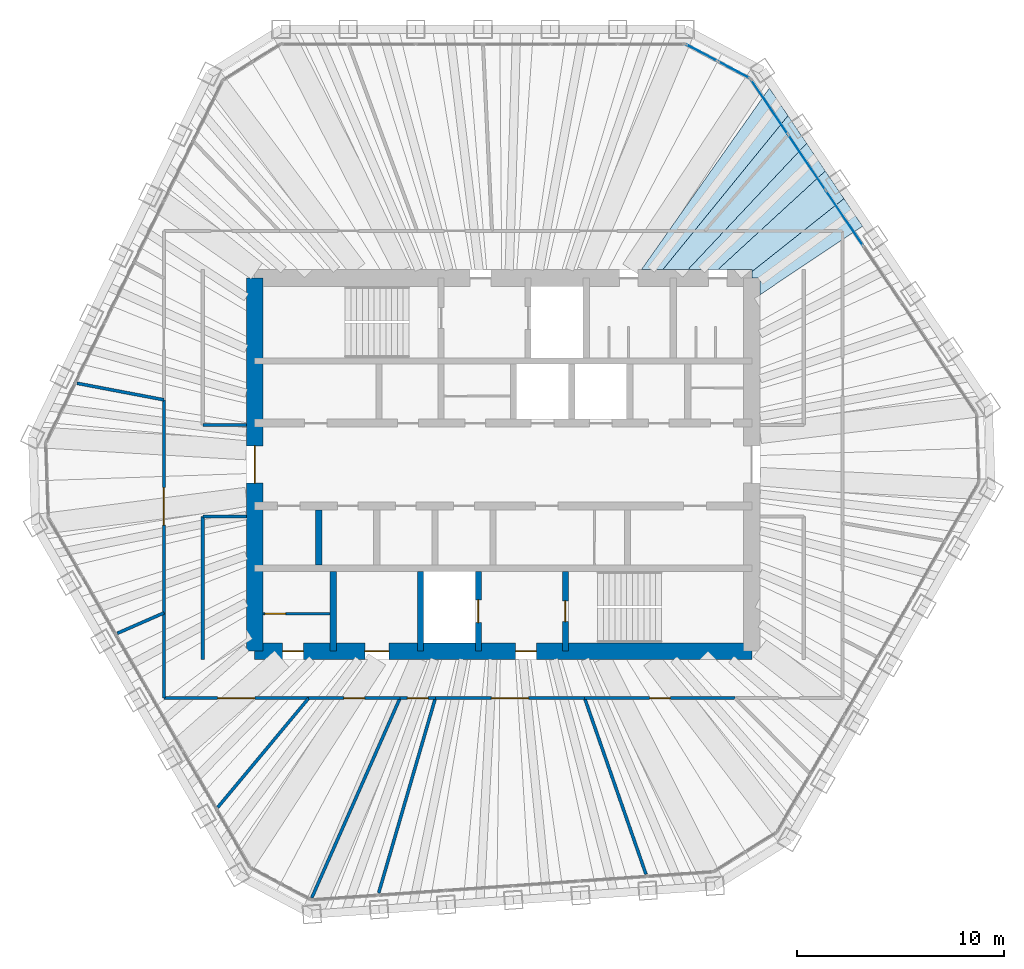
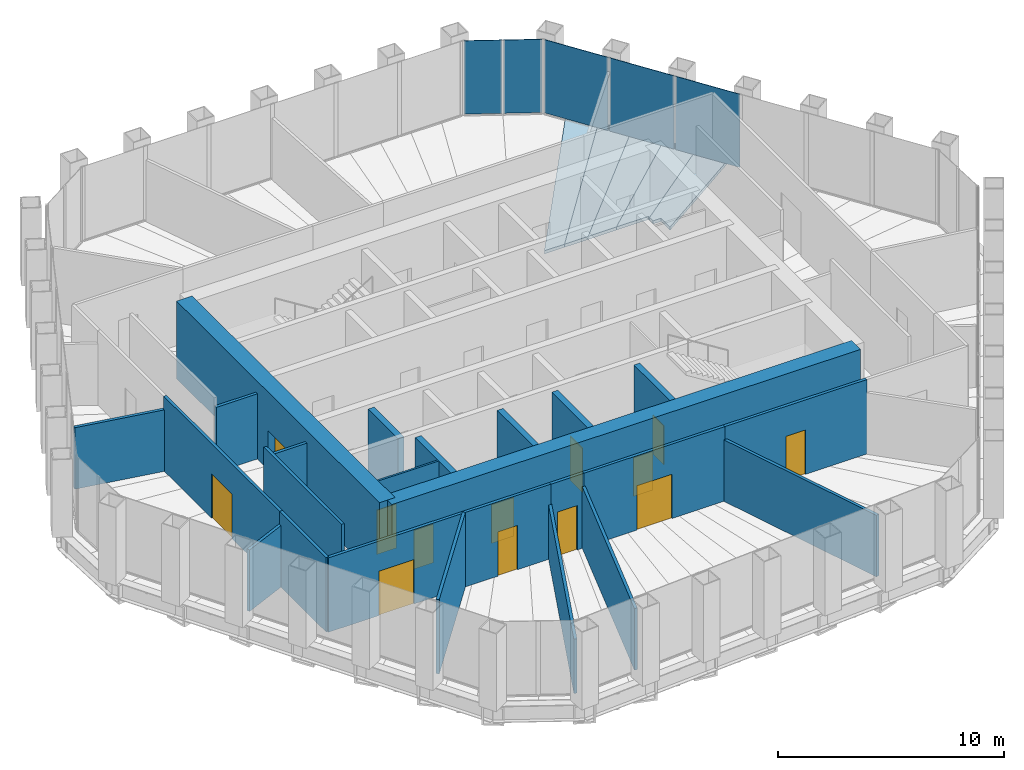
# One storey, part 11 of 14: 24 walls, 13 doors, 5 plates, 5 slabs, 13 openings, 2 elements without a shape of their own.
"""IFC4 building model written with IfcOpenShell, lengths in metres."""

from ifc_helpers import new_model, si_unit, direction, frame, frame_2d, origin, origin_2d, place, context, subcontext, project, spatial, polyline, rectangle, outline, extrude, material, layer, layer_set, type_object, element, fill, aggregate, save


model = new_model("IFC4")

# Units and contexts
model_context = context("Model", 3, precision=1e-05, world=origin(), true_north=direction((0.0, 1.0)))
body_context = subcontext(model_context, "Body", "Model", "MODEL_VIEW")
ifc_project = project(units=[si_unit("LENGTHUNIT", "METRE"), si_unit("AREAUNIT", "SQUARE_METRE"), si_unit("VOLUMEUNIT", "CUBIC_METRE"), si_unit("PLANEANGLEUNIT", "RADIAN"), si_unit("MASSUNIT", "GRAM", prefix="KILO")], contexts=[model_context])

# Site, building, storey
site_placement = place(None, origin())
site = spatial("IfcSite", under=ifc_project, at=site_placement, CompositionType="ELEMENT")
building_placement = place(site_placement, origin())
building = spatial("IfcBuilding", under=site, at=building_placement, Name="Qingtian Harvest Tower", CompositionType="ELEMENT")
storey_placement = place(building_placement, frame((0.0, 0.0, 304.0)))
storey = spatial("IfcBuildingStorey", under=building, at=storey_placement, Name="L67", CompositionType="ELEMENT", Elevation=304.0)

# Slabs
ifc_material_1 = material(Name="Concrete fc' 35 MPa", Category="concrete")
ifc_layer_1 = layer(ifc_material_1, 0.169921875)
ifc_layer_set_1 = layer_set([ifc_layer_1], Name="Composite floor slab FS17 170")
slab_type = type_object("IfcSlabType", Name="Composite floor slab FS17 170", PredefinedType="FLOOR", material=ifc_layer_set_1)
slab_1_placement = place(storey_placement, frame((0.0, 0.0, -0.169921875)))
element("IfcSlab", 1, at=slab_1_placement, inside=storey, type_object=slab_type, Name="Floor slab L67 panel D47", PredefinedType="FLOOR", context=body_context, shape_type="SweptSolid", body=[
    extrude(outline(polyline([(12.39990234375, 9.0), (12.0, 9.0), (12.0, 9.30908203125), (16.44140625, 12.830078125), (17.340576171875, 11.4970703125), (12.39990234375, 8.199462890625), (12.39990234375, 9.0)])), origin(), (0.0, 0.0, 1.0), 0.169921875),
])
slab_2_placement = place(storey_placement, frame((0.0, 0.0, -0.169921875)))
element("IfcSlab", 2, at=slab_2_placement, inside=storey, type_object=slab_type, Name="Floor slab L67 panel D48", PredefinedType="FLOOR", context=body_context, shape_type="SweptSolid", body=[
    extrude(outline(polyline([(12.0, 9.39990234375), (10.349853515625, 9.39990234375), (15.541259765625, 14.164794921875), (16.44140625, 12.830078125), (12.0, 9.30908203125), (12.0, 9.39990234375)])), origin(), (0.0, 0.0, 1.0), 0.169921875),
])
slab_3_placement = place(storey_placement, frame((0.0, 0.0, -0.169921875)))
element("IfcSlab", 3, at=slab_3_placement, inside=storey, type_object=slab_type, Name="Floor slab L67 panel D49", PredefinedType="FLOOR", context=body_context, shape_type="SweptSolid", body=[
    extrude(outline(polyline([(8.907958984375, 9.39990234375), (14.641357421875, 15.498779296875), (15.541259765625, 14.164794921875), (10.349853515625, 9.39990234375), (8.907958984375, 9.39990234375)])), origin(), (0.0, 0.0, 1.0), 0.169921875),
])
slab_4_placement = place(storey_placement, frame((0.0, 0.0, -0.169921875)))
element("IfcSlab", 4, at=slab_4_placement, inside=storey, type_object=slab_type, Name="Floor slab L67 panel D50", PredefinedType="FLOOR", context=body_context, shape_type="SweptSolid", body=[
    extrude(outline(polyline([(7.695556640625, 9.39990234375), (13.74169921875, 16.832763671875), (14.641357421875, 15.498779296875), (8.907958984375, 9.39990234375), (7.695556640625, 9.39990234375)])), origin(), (0.0, 0.0, 1.0), 0.169921875),
])
slab_5_placement = place(storey_placement, frame((0.0, 0.0, -0.169921875)))
element("IfcSlab", 5, at=slab_5_placement, inside=storey, type_object=slab_type, Name="Floor slab L67 panel D51", PredefinedType="FLOOR", context=body_context, shape_type="SweptSolid", body=[
    extrude(outline(polyline([(6.662109375, 9.39990234375), (12.841796875, 18.16650390625), (13.74169921875, 16.832763671875), (7.695556640625, 9.39990234375), (6.662109375, 9.39990234375)])), origin(), (0.0, 0.0, 1.0), 0.169921875),
])

# Curtain wall, plates
ifc_material_2 = material(Name="Bronze-anodised aluminium curtain wall", Category="aluminium")
curtain_wall_type = type_object("IfcCurtainWallType", Name="Curtain wall CW5 upper office", PredefinedType="USERDEFINED", material=ifc_material_2)
curtain_wall_1_placement = place(storey_placement, origin())
curtain_wall_1 = element("IfcCurtainWall", 6, at=curtain_wall_1_placement, inside=storey, type_object=curtain_wall_type, Name="Curtain wall CW5 L67 NC", ObjectType="RECESSED CURTAIN WALL", PredefinedType="USERDEFINED")
ifc_material_3 = material(Name="Bronze-tinted laminated insulating glass", Category="glass")
ifc_layer_2 = layer(ifc_material_3, 0.030029296875)
ifc_layer_set_2 = layer_set([ifc_layer_2], Name="Glazed panel CWP tinted IGU")
plate_type = type_object("IfcPlateType", Name="Glazed panel CWP tinted IGU", PredefinedType="CURTAIN_PANEL", material=ifc_layer_set_2)
plate_1_placement = place(storey_placement, frame((9.57080078125, 19.8720703125, 0.06494140625), z_axis=(0.0, 0.0, 1.0), x_axis=(0.882947592859, -0.469471562786, 0.0)))
plate_1 = element("IfcPlate", 7, at=plate_1_placement, type_object=plate_type, Name="CW5 panel 1.1", PredefinedType="CURTAIN_PANEL", context=body_context, shape_type="SweptSolid", body=[
    extrude(rectangle(XDim=1.69287109375, YDim=0.030029296875, at=origin_2d()), origin(), (0.0, 0.0, 1.0), 3.965087890625),
])
plate_2_placement = place(storey_placement, frame((11.122802734375, 19.046875, 0.06494140625), z_axis=(0.0, 0.0, 1.0), x_axis=(0.882947592859, -0.469471562786, 0.0)))
plate_2 = element("IfcPlate", 8, at=plate_2_placement, type_object=plate_type, Name="CW5 panel 2.1", PredefinedType="CURTAIN_PANEL", context=body_context, shape_type="SweptSolid", body=[
    extrude(rectangle(XDim=1.69287109375, YDim=0.030029296875, at=origin_2d()), origin(), (0.0, 0.0, 1.0), 3.965087890625),
])
aggregate(curtain_wall_1, [plate_1, plate_2])

curtain_wall_2_placement = place(storey_placement, origin())
curtain_wall_2 = element("IfcCurtainWall", 9, at=curtain_wall_2_placement, inside=storey, type_object=curtain_wall_type, Name="Curtain wall CW5 L67 NE0-5", ObjectType="RECESSED CURTAIN WALL", PredefinedType="USERDEFINED")
plate_3_placement = place(storey_placement, frame((12.844970703125, 17.259033203125, 0.06494140625), z_axis=(0.0, 0.0, 1.0), x_axis=(0.559192903471, -0.829037572555, 0.0)))
plate_3 = element("IfcPlate", 10, at=plate_3_placement, type_object=plate_type, Name="CW5 panel 1.1", PredefinedType="CURTAIN_PANEL", context=body_context, shape_type="SweptSolid", body=[
    extrude(rectangle(XDim=3.150634765625, YDim=0.030029296875, at=origin_2d()), origin(), (0.0, 0.0, 1.0), 3.965087890625),
])
plate_4_placement = place(storey_placement, frame((14.652099609375, 14.579833984375, 0.06494140625), z_axis=(0.0, 0.0, 1.0), x_axis=(0.559192903471, -0.829037572555, 0.0)))
plate_4 = element("IfcPlate", 11, at=plate_4_placement, type_object=plate_type, Name="CW5 panel 2.1", PredefinedType="CURTAIN_PANEL", context=body_context, shape_type="SweptSolid", body=[
    extrude(rectangle(XDim=3.18310546875, YDim=0.030029296875, at=origin_2d()), origin(), (0.0, 0.0, 1.0), 3.965087890625),
])
plate_5_placement = place(storey_placement, frame((16.46826171875, 11.886962890625, 0.06494140625), z_axis=(0.0, 0.0, 1.0), x_axis=(0.559192903471, -0.829037572555, 0.0)))
plate_5 = element("IfcPlate", 12, at=plate_5_placement, type_object=plate_type, Name="CW5 panel 3.1", PredefinedType="CURTAIN_PANEL", context=body_context, shape_type="SweptSolid", body=[
    extrude(rectangle(XDim=3.18310546875, YDim=0.030029296875, at=origin_2d()), origin(), (0.0, 0.0, 1.0), 3.965087890625),
])
aggregate(curtain_wall_2, [plate_3, plate_4, plate_5])

# Walls
ifc_material_4 = material(Name="Precast concrete shaft panel", Category="concrete")
ifc_layer_3 = layer(ifc_material_4, 0.300048828125)
ifc_layer_set_3 = layer_set([ifc_layer_3], Name="Core shaft partition SW1 300")
wall_type_1 = type_object("IfcWallType", Name="Core shaft partition SW1 300", PredefinedType="PARTITIONING", material=ifc_layer_set_3)
wall_1_placement = place(storey_placement, frame((-8.89990234375, -4.85009765625, 0.0), z_axis=(0.0, 0.0, 1.0), x_axis=(0.0, 1.0, 0.0)))
element("IfcWall", 13, at=wall_1_placement, inside=storey, type_object=wall_type_1, Name="Core shaft partition XB1 L67", PredefinedType="PARTITIONING", context=body_context, shape_type="SweptSolid", body=[
    extrude(rectangle(XDim=2.650146484375, YDim=0.300048828125, at=frame_2d((1.3251953125, 0.0))), origin(), (0.0, 0.0, 1.0), 3.97998046875),
])
for number, where, z_axis, x_axis, name in (
    (14, (-8.199951171875, -9.0, 0.0), (0.0, 0.0, 1.0), (0.0, 1.0, 0.0), "Core shaft partition XS1 L67"),
    (15, (-4.0, -9.0, 0.0), (0.0, 0.0, 1.0), (0.0, 1.0, 0.0), "Core shaft partition XS2 L67"),
):
    element("IfcWall", number, at=place(storey_placement, frame(where, z_axis=z_axis, x_axis=x_axis)), inside=storey, type_object=wall_type_1, Name=name, PredefinedType="PARTITIONING", context=body_context, shape_type="SweptSolid", body=[
        extrude(rectangle(XDim=3.85009765625, YDim=0.300048828125, at=frame_2d((1.925048828125, 0.0))), origin(), (0.0, 0.0, 1.0), 3.97998046875),
    ])

# Wall, opening, door
wall_2_placement = place(storey_placement, frame((-1.199951171875, -9.0, 0.0), z_axis=(0.0, 0.0, 1.0), x_axis=(0.0, 1.0, 0.0)))
wall_2 = element("IfcWall", 16, at=wall_2_placement, inside=storey, type_object=wall_type_1, Name="Core shaft partition XS3 L67", PredefinedType="PARTITIONING", context=body_context, shape_type="SweptSolid", body=[
    extrude(rectangle(XDim=3.85009765625, YDim=0.300048828125, at=frame_2d((1.925048828125, 0.0))), origin(), (0.0, 0.0, 1.0), 3.97998046875),
])
opening_1_placement = place(wall_2_placement, frame((1.375, 0.0, 0.0)))
opening_1 = element("IfcOpeningElement", 17, at=opening_1_placement, cuts=wall_2, Name="Opening LD1", PredefinedType="OPENING", context=body_context, shape_type="SweptSolid", body=[
    extrude(rectangle(XDim=1.10009765625, YDim=2.39990234375, at=frame_2d((0.550048828125, 1.199951171875))), frame((0.0, 0.159912109375, 0.0), z_axis=(0.0, -1.0, 0.0), x_axis=(1.0, 0.0, 0.0)), (0.0, 0.0, 1.0), 0.320068359375),
])
ifc_material_5 = material(Name="Stainless steel lift landing door", Category="steel")
door_type_1 = type_object("IfcDoorType", Name="Lift landing door LD1 1 HR", OperationType="DOUBLE_DOOR_SLIDING", PredefinedType="DOOR", material=ifc_material_5)
door_1_placement = place(opening_1_placement, origin())
door_1 = element("IfcDoor", 18, at=door_1_placement, inside=storey, type_object=door_type_1, Name="FL2 landing door L67", OperationType="DOUBLE_DOOR_SLIDING", OverallHeight=2.39990234375, OverallWidth=1.10009765625, PredefinedType="DOOR", context=body_context, shape_type="SweptSolid", body=[
    extrude(rectangle(XDim=1.10009765625, YDim=2.39990234375, at=frame_2d((0.550048828125, 1.199951171875))), frame((0.0, 0.02490234375, 0.0), z_axis=(0.0, -1.0, 0.0), x_axis=(1.0, 0.0, 0.0)), (0.0, 0.0, 1.0), 0.050048828125),
])
fill(opening_1, door_1)

wall_3_placement = place(storey_placement, frame((3.0, -9.0, 0.0), z_axis=(0.0, 0.0, 1.0), x_axis=(0.0, 1.0, 0.0)))
wall_3 = element("IfcWall", 19, at=wall_3_placement, inside=storey, type_object=wall_type_1, Name="Core shaft partition XS4 L67", PredefinedType="PARTITIONING", context=body_context, shape_type="SweptSolid", body=[
    extrude(rectangle(XDim=3.85009765625, YDim=0.300048828125, at=frame_2d((1.925048828125, 0.0))), origin(), (0.0, 0.0, 1.0), 3.97998046875),
])
opening_2_placement = place(wall_3_placement, frame((1.425048828125, 0.0, 0.0)))
opening_2 = element("IfcOpeningElement", 20, at=opening_2_placement, cuts=wall_3, Name="Opening FD1", PredefinedType="OPENING", context=body_context, shape_type="SweptSolid", body=[
    extrude(rectangle(XDim=1.0, YDim=2.10009765625, at=frame_2d((0.5, 1.050048828125))), frame((0.0, 0.159912109375, 0.0), z_axis=(0.0, -1.0, 0.0), x_axis=(1.0, 0.0, 0.0)), (0.0, 0.0, 1.0), 0.320068359375),
])
ifc_material_6 = material(Name="Steel-faced door leaf", Category="steel")
door_type_2 = type_object("IfcDoorType", Name="Fire door FD1 single 1 HR", OperationType="SINGLE_SWING_LEFT", PredefinedType="DOOR", material=ifc_material_6)
door_2_placement = place(opening_2_placement, origin())
door_2 = element("IfcDoor", 21, at=door_2_placement, inside=storey, type_object=door_type_2, Name="S2 door L67", OperationType="SINGLE_SWING_LEFT", OverallHeight=2.10009765625, OverallWidth=1.0, PredefinedType="DOOR", context=body_context, shape_type="SweptSolid", body=[
    extrude(rectangle(XDim=1.0, YDim=2.10009765625, at=frame_2d((0.5, 1.050048828125))), frame((0.0, 0.02490234375, 0.0), z_axis=(0.0, -1.0, 0.0), x_axis=(1.0, 0.0, 0.0)), (0.0, 0.0, 1.0), 0.050048828125),
])
fill(opening_2, door_2)

# Wall, openings, doors
ifc_material_7 = material(Name="Concrete fc' 70 MPa", Category="concrete")
ifc_layer_4 = layer(ifc_material_7, 0.800048828125)
ifc_layer_set_4 = layer_set([ifc_layer_4], Name="Core wall RC4 800")
wall_type_2 = type_object("IfcWallType", Name="Core wall RC4 800", PredefinedType="SHEAR", material=ifc_layer_set_4)
wall_4_placement = place(storey_placement, frame((-12.0, -9.0, 0.0), z_axis=(0.0, 0.0, 1.0), x_axis=(1.0, 0.0, 0.0)))
wall_4 = element("IfcWall", 22, at=wall_4_placement, inside=storey, type_object=wall_type_2, Name="Core wall CS L67", PredefinedType="SHEAR", context=body_context, shape_type="SweptSolid", body=[
    extrude(rectangle(XDim=24.0, YDim=0.800048828125, at=frame_2d((12.0, 0.0))), origin(), (0.0, 0.0, 1.0), 4.199951171875),
])
opening_3_placement = place(wall_4_placement, frame((1.35009765625, 0.0, 0.0)))
opening_3 = element("IfcOpeningElement", 23, at=opening_3_placement, cuts=wall_4, Name="Opening FD1", PredefinedType="OPENING", context=body_context, shape_type="SweptSolid", body=[
    extrude(rectangle(XDim=1.0, YDim=2.10009765625, at=frame_2d((0.5, 1.050048828125))), frame((0.0, 0.409912109375, 0.0), z_axis=(0.0, -1.0, 0.0), x_axis=(1.0, 0.0, 0.0)), (0.0, 0.0, 1.0), 0.820068359375),
])
opening_4_placement = place(wall_4_placement, frame((5.324951171875, 0.0, 0.0)))
opening_4 = element("IfcOpeningElement", 24, at=opening_4_placement, cuts=wall_4, Name="Opening AD1", PredefinedType="OPENING", context=body_context, shape_type="SweptSolid", body=[
    extrude(rectangle(XDim=1.14990234375, YDim=2.10009765625, at=frame_2d((0.574951171875, 1.050048828125))), frame((0.0, 0.409912109375, 0.0), z_axis=(0.0, -1.0, 0.0), x_axis=(1.0, 0.0, 0.0)), (0.0, 0.0, 1.0), 0.820068359375),
])
opening_5_placement = place(wall_4_placement, frame((12.60009765625, 0.0, 0.0)))
opening_5 = element("IfcOpeningElement", 25, at=opening_5_placement, cuts=wall_4, Name="Opening FD1", PredefinedType="OPENING", context=body_context, shape_type="SweptSolid", body=[
    extrude(rectangle(XDim=1.0, YDim=2.10009765625, at=frame_2d((0.5, 1.050048828125))), frame((0.0, 0.409912109375, 0.0), z_axis=(0.0, -1.0, 0.0), x_axis=(1.0, 0.0, 0.0)), (0.0, 0.0, 1.0), 0.820068359375),
])
ifc_material_8 = material(Name="Laminated timber door leaf", Category="wood")
door_type_3 = type_object("IfcDoorType", Name="Accessible WC door AD1 single", OperationType="SINGLE_SWING_LEFT", PredefinedType="DOOR", material=ifc_material_8)
door_3_placement = place(opening_4_placement, origin())
door_3 = element("IfcDoor", 26, at=door_3_placement, inside=storey, type_object=door_type_3, Name="AWC door L67", OperationType="SINGLE_SWING_RIGHT", OverallHeight=2.10009765625, OverallWidth=1.14990234375, PredefinedType="DOOR", context=body_context, shape_type="SweptSolid", body=[
    extrude(rectangle(XDim=1.14990234375, YDim=2.10009765625, at=frame_2d((0.574951171875, 1.050048828125))), frame((0.0, 0.02490234375, 0.0), z_axis=(0.0, -1.0, 0.0), x_axis=(1.0, 0.0, 0.0)), (0.0, 0.0, 1.0), 0.050048828125),
])
fill(opening_4, door_3)
door_4_placement = place(opening_3_placement, origin())
door_4 = element("IfcDoor", 27, at=door_4_placement, inside=storey, type_object=door_type_2, Name="CLN door L67", OperationType="SINGLE_SWING_LEFT", OverallHeight=2.10009765625, OverallWidth=1.0, PredefinedType="DOOR", context=body_context, shape_type="SweptSolid", body=[
    extrude(rectangle(XDim=1.0, YDim=2.10009765625, at=frame_2d((0.5, 1.050048828125))), frame((0.0, 0.02490234375, 0.0), z_axis=(0.0, -1.0, 0.0), x_axis=(1.0, 0.0, 0.0)), (0.0, 0.0, 1.0), 0.050048828125),
])
fill(opening_3, door_4)
door_5_placement = place(opening_5_placement, origin())
door_5 = element("IfcDoor", 28, at=door_5_placement, inside=storey, type_object=door_type_2, Name="V2 door L67", OperationType="SINGLE_SWING_RIGHT", OverallHeight=2.10009765625, OverallWidth=1.0, PredefinedType="DOOR", context=body_context, shape_type="SweptSolid", body=[
    extrude(rectangle(XDim=1.0, YDim=2.10009765625, at=frame_2d((0.5, 1.050048828125))), frame((0.0, 0.02490234375, 0.0), z_axis=(0.0, -1.0, 0.0), x_axis=(1.0, 0.0, 0.0)), (0.0, 0.0, 1.0), 0.050048828125),
])
fill(opening_5, door_5)

# Wall, opening, door
wall_5_placement = place(storey_placement, frame((-12.0, -9.0, 0.0), z_axis=(0.0, 0.0, 1.0), x_axis=(0.0, 1.0, 0.0)))
wall_5 = element("IfcWall", 29, at=wall_5_placement, inside=storey, type_object=wall_type_2, Name="Core wall CW L67", PredefinedType="SHEAR", context=body_context, shape_type="SweptSolid", body=[
    extrude(rectangle(XDim=18.0, YDim=0.800048828125, at=frame_2d((9.0, 0.0))), origin(), (0.0, 0.0, 1.0), 4.199951171875),
])
opening_6_placement = place(wall_5_placement, frame((8.10009765625, 0.0, 0.0)))
opening_6 = element("IfcOpeningElement", 30, at=opening_6_placement, cuts=wall_5, Name="Opening FD2", PredefinedType="OPENING", context=body_context, shape_type="SweptSolid", body=[
    extrude(rectangle(XDim=1.800048828125, YDim=2.10009765625, at=frame_2d((0.89990234375, 1.050048828125))), frame((0.0, 0.409912109375, 0.0), z_axis=(0.0, -1.0, 0.0), x_axis=(1.0, 0.0, 0.0)), (0.0, 0.0, 1.0), 0.820068359375),
])
ifc_material_9 = material(Name="Steel-faced door leaf", Category="steel")
door_type_4 = type_object("IfcDoorType", Name="Fire door FD2 double 1 HR", OperationType="DOUBLE_DOOR_DOUBLE_SWING", PredefinedType="DOOR", material=ifc_material_9)
door_6_placement = place(opening_6_placement, origin())
door_6 = element("IfcDoor", 31, at=door_6_placement, inside=storey, type_object=door_type_4, Name="LOBBY-W door L67", OperationType="DOUBLE_DOOR_DOUBLE_SWING", OverallHeight=2.10009765625, OverallWidth=1.800048828125, PredefinedType="DOOR", context=body_context, shape_type="SweptSolid", body=[
    extrude(rectangle(XDim=1.800048828125, YDim=2.10009765625, at=frame_2d((0.89990234375, 1.050048828125))), frame((0.0, 0.02490234375, 0.0), z_axis=(0.0, -1.0, 0.0), x_axis=(1.0, 0.0, 0.0)), (0.0, 0.0, 1.0), 0.050048828125),
])
fill(opening_6, door_6)

ifc_material_10 = material(Name="Gypsum board on steel studs", Category="steel")
ifc_layer_5 = layer(ifc_material_10, 0.14990234375)
ifc_layer_set_5 = layer_set([ifc_layer_5], Name="Partition PT1 150")
wall_type_3 = type_object("IfcWallType", Name="Partition PT1 150", PredefinedType="PARTITIONING", material=ifc_layer_set_5)
wall_6_placement = place(storey_placement, frame((11.194091796875, -11.27490234375, 0.0), z_axis=(0.0, 0.0, 1.0), x_axis=(-1.0, 0.0, 0.0)))
wall_6 = element("IfcWall", 32, at=wall_6_placement, inside=storey, type_object=wall_type_3, Name="Focus room wall L67", PredefinedType="PARTITIONING", context=body_context, shape_type="SweptSolid", body=[
    extrude(rectangle(XDim=7.266357421875, YDim=0.14990234375, at=frame_2d((3.63330078125, 0.0))), origin(), (0.0, 0.0, 1.0), 4.030029296875),
])
opening_7_placement = place(wall_6_placement, frame((3.133056640625, 0.0, 0.0)))
opening_7 = element("IfcOpeningElement", 33, at=opening_7_placement, cuts=wall_6, Name="Opening D2", PredefinedType="OPENING", context=body_context, shape_type="SweptSolid", body=[
    extrude(rectangle(XDim=1.0, YDim=2.39990234375, at=frame_2d((0.5, 1.199951171875))), frame((0.0, 0.0849609375, 0.0), z_axis=(0.0, -1.0, 0.0), x_axis=(1.0, 0.0, 0.0)), (0.0, 0.0, 1.0), 0.169921875),
])
ifc_material_11 = material(Name="Laminated timber door leaf", Category="wood")
door_type_5 = type_object("IfcDoorType", Name="Room door D2 single", OperationType="SINGLE_SWING_LEFT", PredefinedType="DOOR", material=ifc_material_11)
door_7_placement = place(opening_7_placement, origin())
door_7 = element("IfcDoor", 34, at=door_7_placement, inside=storey, type_object=door_type_5, Name="Focus room door L67", OperationType="SINGLE_SWING_LEFT", OverallHeight=2.39990234375, OverallWidth=1.0, PredefinedType="DOOR", context=body_context, shape_type="SweptSolid", body=[
    extrude(rectangle(XDim=1.0, YDim=2.39990234375, at=frame_2d((0.5, 1.199951171875))), frame((0.0, 0.02490234375, 0.0), z_axis=(0.0, -1.0, 0.0), x_axis=(1.0, 0.0, 0.0)), (0.0, 0.0, 1.0), 0.050048828125),
])
fill(opening_7, door_7)

# Wall
wall_7_placement = place(storey_placement, frame((6.8876953125, -19.771240234375, 0.0), z_axis=(0.0, 0.0, 1.0), x_axis=(-0.328987878601, 0.944334144111, 0.0)))
element("IfcWall", 35, at=wall_7_placement, inside=storey, type_object=wall_type_3, Name="Workplace zone wall L67", PredefinedType="PARTITIONING", context=body_context, shape_type="SweptSolid", body=[
    extrude(rectangle(XDim=8.9970703125, YDim=0.14990234375, at=frame_2d((4.49853515625, 0.0))), origin(), (0.0, 0.0, 1.0), 3.330078125),
])

# Wall, opening, door
wall_8_placement = place(storey_placement, frame((3.927734375, -11.27490234375, 0.0), z_axis=(0.0, 0.0, 1.0), x_axis=(-1.0, 0.0, 0.0)))
wall_8 = element("IfcWall", 36, at=wall_8_placement, inside=storey, type_object=wall_type_3, Name="Workplace zone wall L67", PredefinedType="PARTITIONING", context=body_context, shape_type="SweptSolid", body=[
    extrude(rectangle(XDim=7.206298828125, YDim=0.14990234375, at=frame_2d((3.60302734375, 0.0))), origin(), (0.0, 0.0, 1.0), 4.030029296875),
])
opening_8_placement = place(wall_8_placement, frame((2.703125, 0.0, 0.0)))
opening_8 = element("IfcOpeningElement", 37, at=opening_8_placement, cuts=wall_8, Name="Opening D3", PredefinedType="OPENING", context=body_context, shape_type="SweptSolid", body=[
    extrude(rectangle(XDim=1.800048828125, YDim=2.39990234375, at=frame_2d((0.89990234375, 1.199951171875))), frame((0.0, 0.0849609375, 0.0), z_axis=(0.0, -1.0, 0.0), x_axis=(1.0, 0.0, 0.0)), (0.0, 0.0, 1.0), 0.169921875),
])
ifc_material_12 = material(Name="Laminated timber door leaf", Category="wood")
door_type_6 = type_object("IfcDoorType", Name="Room door D3 double", OperationType="DOUBLE_DOOR_DOUBLE_SWING", PredefinedType="DOOR", material=ifc_material_12)
door_8_placement = place(opening_8_placement, origin())
door_8 = element("IfcDoor", 38, at=door_8_placement, inside=storey, type_object=door_type_6, Name="Workplace zone door L67", OperationType="DOUBLE_DOOR_DOUBLE_SWING", OverallHeight=2.39990234375, OverallWidth=1.800048828125, PredefinedType="DOOR", context=body_context, shape_type="SweptSolid", body=[
    extrude(rectangle(XDim=1.800048828125, YDim=2.39990234375, at=frame_2d((0.89990234375, 1.199951171875))), frame((0.0, 0.02490234375, 0.0), z_axis=(0.0, -1.0, 0.0), x_axis=(1.0, 0.0, 0.0)), (0.0, 0.0, 1.0), 0.050048828125),
])
fill(opening_8, door_8)

# Wall
wall_9_placement = place(storey_placement, frame((-6.011962890625, -20.67578125, 0.0), z_axis=(0.0, 0.0, 1.0), x_axis=(0.279197441451, 0.960233715658, 0.0)))
element("IfcWall", 39, at=wall_9_placement, inside=storey, type_object=wall_type_3, Name="Print room wall L67", PredefinedType="PARTITIONING", context=body_context, shape_type="SweptSolid", body=[
    extrude(rectangle(XDim=9.790283203125, YDim=0.14990234375, at=frame_2d((4.89501953125, 0.0))), origin(), (0.0, 0.0, 1.0), 3.330078125),
])

# Wall, opening, door
wall_10_placement = place(storey_placement, frame((-3.278564453125, -11.27490234375, 0.0), z_axis=(0.0, 0.0, 1.0), x_axis=(-1.0, 0.0, 0.0)))
wall_10 = element("IfcWall", 40, at=wall_10_placement, inside=storey, type_object=wall_type_3, Name="Print room wall L67", PredefinedType="PARTITIONING", context=body_context, shape_type="SweptSolid", body=[
    extrude(rectangle(XDim=1.704345703125, YDim=0.14990234375, at=frame_2d((0.85205078125, 0.0))), origin(), (0.0, 0.0, 1.0), 4.030029296875),
])
opening_9_placement = place(wall_10_placement, frame((0.352294921875, 0.0, 0.0)))
opening_9 = element("IfcOpeningElement", 41, at=opening_9_placement, cuts=wall_10, Name="Opening D2", PredefinedType="OPENING", context=body_context, shape_type="SweptSolid", body=[
    extrude(rectangle(XDim=1.0, YDim=2.39990234375, at=frame_2d((0.5, 1.199951171875))), frame((0.0, 0.0849609375, 0.0), z_axis=(0.0, -1.0, 0.0), x_axis=(1.0, 0.0, 0.0)), (0.0, 0.0, 1.0), 0.169921875),
])
door_9_placement = place(opening_9_placement, origin())
door_9 = element("IfcDoor", 42, at=door_9_placement, inside=storey, type_object=door_type_5, Name="Print room door L67", OperationType="SINGLE_SWING_RIGHT", OverallHeight=2.39990234375, OverallWidth=1.0, PredefinedType="DOOR", context=body_context, shape_type="SweptSolid", body=[
    extrude(rectangle(XDim=1.0, YDim=2.39990234375, at=frame_2d((0.5, 1.199951171875))), frame((0.0, 0.02490234375, 0.0), z_axis=(0.0, -1.0, 0.0), x_axis=(1.0, 0.0, 0.0)), (0.0, 0.0, 1.0), 0.050048828125),
])
fill(opening_9, door_9)

# Wall
wall_11_placement = place(storey_placement, frame((-9.23974609375, -20.906982421875, 0.0), z_axis=(0.0, 0.0, 1.0), x_axis=(0.404227449851, 0.91465849845, 0.0)))
element("IfcWall", 43, at=wall_11_placement, inside=storey, type_object=wall_type_3, Name="Store room wall L67", PredefinedType="PARTITIONING", context=body_context, shape_type="SweptSolid", body=[
    extrude(rectangle(XDim=10.53076171875, YDim=0.14990234375, at=frame_2d((5.265380859375, 0.0))), origin(), (0.0, 0.0, 1.0), 2.929931640625),
])

# Wall, opening, door
wall_12_placement = place(storey_placement, frame((-4.98291015625, -11.27490234375, 0.0), z_axis=(0.0, 0.0, 1.0), x_axis=(-1.0, 0.0, 0.0)))
wall_12 = element("IfcWall", 44, at=wall_12_placement, inside=storey, type_object=wall_type_3, Name="Store room wall L67", PredefinedType="PARTITIONING", context=body_context, shape_type="SweptSolid", body=[
    extrude(rectangle(XDim=4.40673828125, YDim=0.14990234375, at=frame_2d((2.203369140625, 0.0))), origin(), (0.0, 0.0, 1.0), 4.030029296875),
])
opening_10_placement = place(wall_12_placement, frame((1.703369140625, 0.0, 0.0)))
opening_10 = element("IfcOpeningElement", 45, at=opening_10_placement, cuts=wall_12, Name="Opening D2", PredefinedType="OPENING", context=body_context, shape_type="SweptSolid", body=[
    extrude(rectangle(XDim=1.0, YDim=2.39990234375, at=frame_2d((0.5, 1.199951171875))), frame((0.0, 0.0849609375, 0.0), z_axis=(0.0, -1.0, 0.0), x_axis=(1.0, 0.0, 0.0)), (0.0, 0.0, 1.0), 0.169921875),
])
door_10_placement = place(opening_10_placement, origin())
door_10 = element("IfcDoor", 46, at=door_10_placement, inside=storey, type_object=door_type_5, Name="Store room door L67", OperationType="SINGLE_SWING_RIGHT", OverallHeight=2.39990234375, OverallWidth=1.0, PredefinedType="DOOR", context=body_context, shape_type="SweptSolid", body=[
    extrude(rectangle(XDim=1.0, YDim=2.39990234375, at=frame_2d((0.5, 1.199951171875))), frame((0.0, 0.02490234375, 0.0), z_axis=(0.0, -1.0, 0.0), x_axis=(1.0, 0.0, 0.0)), (0.0, 0.0, 1.0), 0.050048828125),
])
fill(opening_10, door_10)

# Wall
wall_13_placement = place(storey_placement, frame((-13.779296875, -16.546142578125, 0.0), z_axis=(0.0, 0.0, 1.0), x_axis=(0.639921807512, 0.768440030367, 0.0)))
element("IfcWall", 47, at=wall_13_placement, inside=storey, type_object=wall_type_3, Name="Meeting room wall L67", PredefinedType="PARTITIONING", context=body_context, shape_type="SweptSolid", body=[
    extrude(rectangle(XDim=6.859619140625, YDim=0.14990234375, at=frame_2d((3.4296875, 0.0))), origin(), (0.0, 0.0, 1.0), 4.030029296875),
])

# Wall, opening, door
wall_14_placement = place(storey_placement, frame((-9.3896484375, -11.27490234375, 0.0), z_axis=(0.0, 0.0, 1.0), x_axis=(-1.0, 0.0, 0.0)))
wall_14 = element("IfcWall", 48, at=wall_14_placement, inside=storey, type_object=wall_type_3, Name="Meeting room wall L67", PredefinedType="PARTITIONING", context=body_context, shape_type="SweptSolid", body=[
    extrude(rectangle(XDim=6.9853515625, YDim=0.14990234375, at=frame_2d((3.49267578125, 0.0))), origin(), (0.0, 0.0, 1.0), 4.030029296875),
])
opening_11_placement = place(wall_14_placement, frame((2.5927734375, 0.0, 0.0)))
opening_11 = element("IfcOpeningElement", 49, at=opening_11_placement, cuts=wall_14, Name="Opening D3", PredefinedType="OPENING", context=body_context, shape_type="SweptSolid", body=[
    extrude(rectangle(XDim=1.800048828125, YDim=2.39990234375, at=frame_2d((0.89990234375, 1.199951171875))), frame((0.0, 0.0849609375, 0.0), z_axis=(0.0, -1.0, 0.0), x_axis=(1.0, 0.0, 0.0)), (0.0, 0.0, 1.0), 0.169921875),
])
door_11_placement = place(opening_11_placement, origin())
door_11 = element("IfcDoor", 50, at=door_11_placement, inside=storey, type_object=door_type_6, Name="Meeting room door L67", OperationType="DOUBLE_DOOR_DOUBLE_SWING", OverallHeight=2.39990234375, OverallWidth=1.800048828125, PredefinedType="DOOR", context=body_context, shape_type="SweptSolid", body=[
    extrude(rectangle(XDim=1.800048828125, YDim=2.39990234375, at=frame_2d((0.89990234375, 1.199951171875))), frame((0.0, 0.02490234375, 0.0), z_axis=(0.0, -1.0, 0.0), x_axis=(1.0, 0.0, 0.0)), (0.0, 0.0, 1.0), 0.050048828125),
])
fill(opening_11, door_11)

# Walls
wall_15_placement = place(storey_placement, frame((-16.375, -11.27490234375, 0.0), z_axis=(0.0, 0.0, 1.0), x_axis=(0.0, 1.0, 0.0)))
element("IfcWall", 51, at=wall_15_placement, inside=storey, type_object=wall_type_3, Name="Meeting room wall L67", PredefinedType="PARTITIONING", context=body_context, shape_type="SweptSolid", body=[
    extrude(rectangle(XDim=4.114013671875, YDim=0.14990234375, at=frame_2d((2.05712890625, 0.0))), origin(), (0.0, 0.0, 1.0), 4.030029296875),
])
wall_16_placement = place(storey_placement, frame((-18.62353515625, -8.144287109375, 0.0), z_axis=(0.0, 0.0, 1.0), x_axis=(0.916207556777, 0.400704021574, 0.0)))
element("IfcWall", 52, at=wall_16_placement, inside=storey, type_object=wall_type_3, Name="Training room wall L67", PredefinedType="PARTITIONING", context=body_context, shape_type="SweptSolid", body=[
    extrude(rectangle(XDim=2.4541015625, YDim=0.14990234375, at=frame_2d((1.22705078125, 0.0))), origin(), (0.0, 0.0, 1.0), 3.330078125),
])

# Wall, opening, door
wall_17_placement = place(storey_placement, frame((-16.375, -7.160888671875, 0.0), z_axis=(0.0, 0.0, 1.0), x_axis=(0.0, 1.0, 0.0)))
wall_17 = element("IfcWall", 53, at=wall_17_placement, inside=storey, type_object=wall_type_3, Name="Training room wall L67", PredefinedType="PARTITIONING", context=body_context, shape_type="SweptSolid", body=[
    extrude(rectangle(XDim=10.28271484375, YDim=0.14990234375, at=frame_2d((5.141357421875, 0.0))), origin(), (0.0, 0.0, 1.0), 4.030029296875),
])
opening_12_placement = place(wall_17_placement, frame((4.2412109375, 0.0, 0.0)))
opening_12 = element("IfcOpeningElement", 54, at=opening_12_placement, cuts=wall_17, Name="Opening D3", PredefinedType="OPENING", context=body_context, shape_type="SweptSolid", body=[
    extrude(rectangle(XDim=1.800048828125, YDim=2.39990234375, at=frame_2d((0.89990234375, 1.199951171875))), frame((0.0, 0.0849609375, 0.0), z_axis=(0.0, -1.0, 0.0), x_axis=(1.0, 0.0, 0.0)), (0.0, 0.0, 1.0), 0.169921875),
])
door_12_placement = place(opening_12_placement, origin())
door_12 = element("IfcDoor", 55, at=door_12_placement, inside=storey, type_object=door_type_6, Name="Training room door L67", OperationType="DOUBLE_DOOR_DOUBLE_SWING", OverallHeight=2.39990234375, OverallWidth=1.800048828125, PredefinedType="DOOR", context=body_context, shape_type="SweptSolid", body=[
    extrude(rectangle(XDim=1.800048828125, YDim=2.39990234375, at=frame_2d((0.89990234375, 1.199951171875))), frame((0.0, 0.02490234375, 0.0), z_axis=(0.0, -1.0, 0.0), x_axis=(1.0, 0.0, 0.0)), (0.0, 0.0, 1.0), 0.050048828125),
])
fill(opening_12, door_12)

# Walls
wall_18_placement = place(storey_placement, frame((-20.566162109375, 3.9208984375, 0.0), z_axis=(0.0, 0.0, 1.0), x_axis=(0.982305997167, -0.187283015595, 0.0)))
element("IfcWall", 56, at=wall_18_placement, inside=storey, type_object=wall_type_3, Name="Pantry wall L67", PredefinedType="PARTITIONING", context=body_context, shape_type="SweptSolid", body=[
    extrude(rectangle(XDim=4.2666015625, YDim=0.14990234375, at=frame_2d((2.13330078125, 0.0))), origin(), (0.0, 0.0, 1.0), 3.330078125),
])
wall_19_placement = place(storey_placement, frame((-12.39990234375, 1.89990234375, 0.0), z_axis=(0.0, 0.0, 1.0), x_axis=(-1.0, 0.0, 0.0)))
element("IfcWall", 57, at=wall_19_placement, inside=storey, type_object=wall_type_3, Name="Breakout space wall L67", PredefinedType="PARTITIONING", context=body_context, shape_type="SweptSolid", body=[
    extrude(rectangle(XDim=2.10009765625, YDim=0.14990234375, at=frame_2d((1.050048828125, 0.0))), origin(), (0.0, 0.0, 1.0), 3.530029296875),
])
wall_20_placement = place(storey_placement, frame((-14.5, -9.39990234375, 0.0), z_axis=(0.0, 0.0, 1.0), x_axis=(0.0, 1.0, 0.0)))
element("IfcWall", 58, at=wall_20_placement, inside=storey, type_object=wall_type_3, Name="Reading area wall L67", PredefinedType="PARTITIONING", context=body_context, shape_type="SweptSolid", body=[
    extrude(rectangle(XDim=6.89990234375, YDim=0.14990234375, at=frame_2d((3.449951171875, 0.0))), origin(), (0.0, 0.0, 1.0), 4.030029296875),
])
wall_21_placement = place(storey_placement, frame((-12.39990234375, -2.5, 0.0), z_axis=(0.0, 0.0, 1.0), x_axis=(-1.0, 0.0, 0.0)))
element("IfcWall", 59, at=wall_21_placement, inside=storey, type_object=wall_type_3, Name="Reading area wall L67", PredefinedType="PARTITIONING", context=body_context, shape_type="SweptSolid", body=[
    extrude(rectangle(XDim=2.10009765625, YDim=0.14990234375, at=frame_2d((1.050048828125, 0.0))), origin(), (0.0, 0.0, 1.0), 3.530029296875),
])

# Wall, opening, door
ifc_material_13 = material(Name="Concrete block partition", Category="concrete")
ifc_layer_6 = layer(ifc_material_13, 0.10009765625)
ifc_layer_set_6 = layer_set([ifc_layer_6], Name="Store partition PT3 100")
wall_type_4 = type_object("IfcWallType", Name="Store partition PT3 100", PredefinedType="PARTITIONING", material=ifc_layer_set_6)
wall_22_placement = place(storey_placement, frame((-11.60009765625, -7.199951171875, 0.0), z_axis=(0.0, 0.0, 1.0), x_axis=(1.0, 0.0, 0.0)))
wall_22 = element("IfcWall", 60, at=wall_22_placement, inside=storey, type_object=wall_type_4, Name="Waste store wall L67", PredefinedType="PARTITIONING", context=body_context, shape_type="SweptSolid", body=[
    extrude(rectangle(XDim=3.25, YDim=0.10009765625, at=frame_2d((1.625, 0.0))), origin(), (0.0, 0.0, 1.0), 3.97998046875),
])
opening_13_placement = place(wall_22_placement, frame((0.10009765625, 0.0, 0.0)))
opening_13 = element("IfcOpeningElement", 61, at=opening_13_placement, cuts=wall_22, Name="Opening D2", PredefinedType="OPENING", context=body_context, shape_type="SweptSolid", body=[
    extrude(rectangle(XDim=1.0, YDim=2.39990234375, at=frame_2d((0.5, 1.199951171875))), frame((0.0, 0.06005859375, 0.0), z_axis=(0.0, -1.0, 0.0), x_axis=(1.0, 0.0, 0.0)), (0.0, 0.0, 1.0), 0.1201171875),
])
door_13_placement = place(opening_13_placement, origin())
door_13 = element("IfcDoor", 62, at=door_13_placement, inside=storey, type_object=door_type_5, Name="Waste store door L67", OperationType="SINGLE_SWING_LEFT", OverallHeight=2.39990234375, OverallWidth=1.0, PredefinedType="DOOR", context=body_context, shape_type="SweptSolid", body=[
    extrude(rectangle(XDim=1.0, YDim=2.39990234375, at=frame_2d((0.5, 1.199951171875))), frame((0.0, 0.02490234375, 0.0), z_axis=(0.0, -1.0, 0.0), x_axis=(1.0, 0.0, 0.0)), (0.0, 0.0, 1.0), 0.050048828125),
])
fill(opening_13, door_13)

save(model, "model.ifc")
